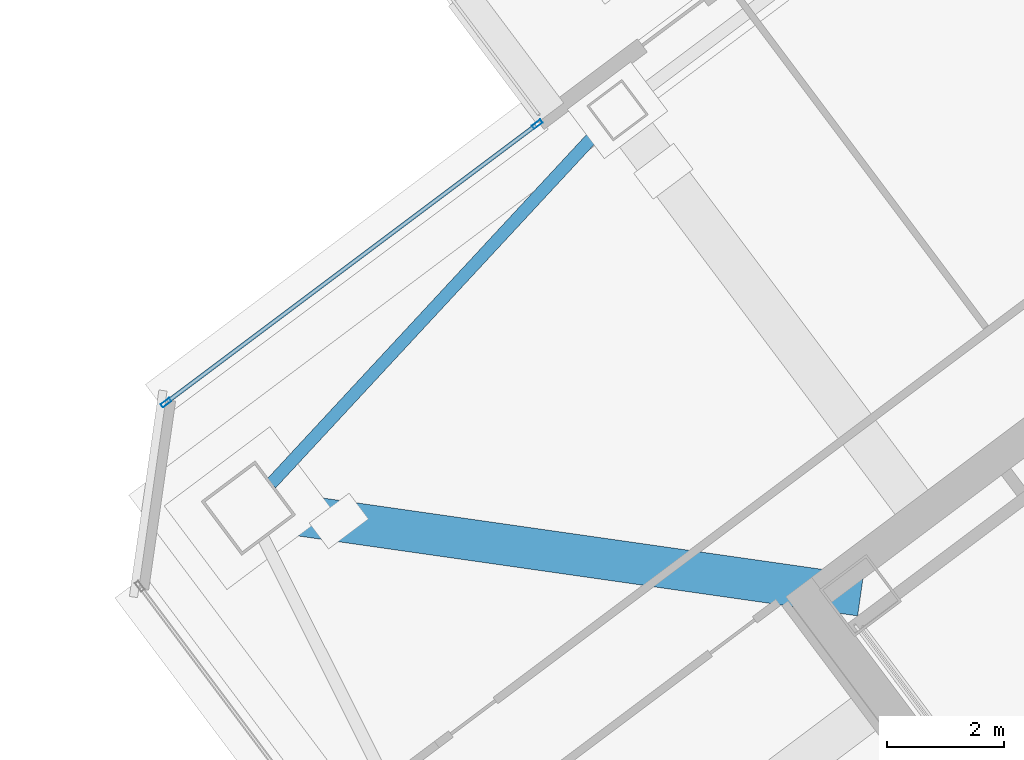
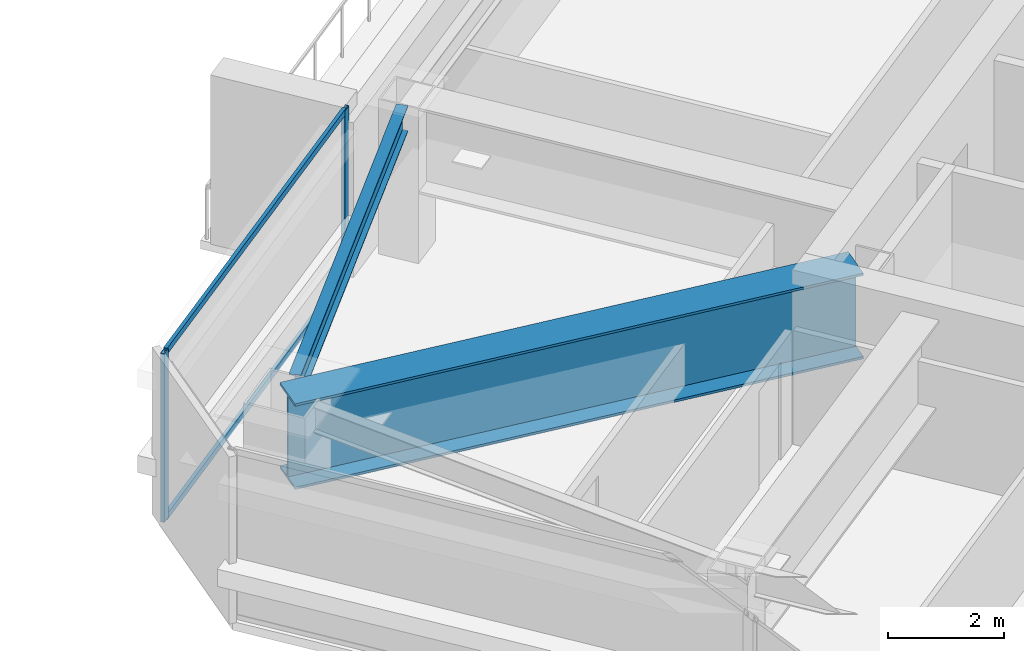
# One storey, part 22 of 42: 4 members, 2 beams, 1 element without a shape of its own.
"""IFC4 building model written with IfcOpenShell, lengths in metres."""

import ifcopenshell
import ifcopenshell.guid

model = None  # the IFC model being written
_history = None  # IfcOwnerHistory: only IFC2X3 demands one
_inside = {}  # id of a spatial element -> (the spatial element, [elements in it])
_under = {}  # id of a project, library or spatial element -> (it, [spatial elements below it])
_declared = {}  # id of a project -> (the project, [libraries it declares])
_typed = {}  # id of a type object -> (the type object, [elements of that type])
_made_of = {}  # id of a material, layer set ... -> (it, [elements and type objects made of it])


def new_model(schema):
    """Start an empty IFC model of exactly this schema.

    Asked for "IFC4X3", IfcOpenShell would pick the latest addendum, in which some entities
    have other attributes; the version numbers below select the first issue.
    IFC2X3 requires an IfcOwnerHistory on every rooted entity: one is made here for all.
    """
    global model, _history
    if schema == "IFC4X3":
        model = ifcopenshell.file(schema_version=(4, 3, 0, 0))
    else:
        model = ifcopenshell.file(schema=schema)
    _inside.clear()
    _under.clear()
    _declared.clear()
    _typed.clear()
    _made_of.clear()
    _history = None
    if model.schema == "IFC2X3":
        org = make("IfcOrganization", Name="unknown")
        user = make(
            "IfcPersonAndOrganization",
            ThePerson=make("IfcPerson", FamilyName="unknown"),
            TheOrganization=org,
        )
        app = make(
            "IfcApplication",
            ApplicationDeveloper=org,
            Version="unknown",
            ApplicationFullName="unknown",
            ApplicationIdentifier="unknown",
        )
        _history = make(
            "IfcOwnerHistory",
            OwningUser=user,
            OwningApplication=app,
            ChangeAction="ADDED",
            CreationDate=0,
        )
    return model


def make(cls, **values):
    """One entity of the class cls with the attributes given. An attribute that is None is left unset."""
    return model.create_entity(
        cls, **{name: value for name, value in values.items() if value is not None}
    )


def rooted(cls, **values):
    """An entity with a GlobalId (a new one), such as an element, a storey or a relation."""
    return make(cls, GlobalId=ifcopenshell.guid.new(), OwnerHistory=_history, **values)


def si_unit(unit_type, name, prefix=None):
    """IfcSIUnit, for example si_unit("LENGTHUNIT", "METRE", prefix="MILLI")."""
    return make("IfcSIUnit", UnitType=unit_type, Prefix=prefix, Name=name)


def assignment(units):
    """IfcUnitAssignment: the units of a project."""
    return None if units is None else make("IfcUnitAssignment", Units=units)


def point(xyz):
    """IfcCartesianPoint."""
    return None if xyz is None else make("IfcCartesianPoint", Coordinates=xyz)


def direction(xyz):
    """IfcDirection."""
    return None if xyz is None else make("IfcDirection", DirectionRatios=xyz)


def frame(location, z_axis=None, x_axis=None):
    """IfcAxis2Placement3D, a coordinate frame: its origin and axes. An axis left out is left unset."""
    return make(
        "IfcAxis2Placement3D",
        Location=point(location),
        Axis=direction(z_axis),
        RefDirection=direction(x_axis),
    )


def frame_2d(location, x_axis=None):
    """IfcAxis2Placement2D, a coordinate frame in the plane: its origin and x axis."""
    return make(
        "IfcAxis2Placement2D", Location=point(location), RefDirection=direction(x_axis)
    )


def origin():
    """The frame at (0, 0, 0) with its axes left unset."""
    return frame((0.0, 0.0, 0.0))


def origin_2d():
    """The frame at (0, 0) in the plane with its x axis left unset."""
    return frame_2d((0.0, 0.0))


def place(relative_to, where):
    """IfcLocalPlacement: puts the frame where relative to a parent placement (None: the world)."""
    return make(
        "IfcLocalPlacement", PlacementRelTo=relative_to, RelativePlacement=where
    )


def context(
    kind, dimensions, precision=None, world=None, true_north=None, identifier=None
):
    """IfcGeometricRepresentationContext, for example the 3D "Model" context."""
    return make(
        "IfcGeometricRepresentationContext",
        ContextIdentifier=identifier,
        ContextType=kind,
        CoordinateSpaceDimension=dimensions,
        Precision=precision,
        WorldCoordinateSystem=world,
        TrueNorth=true_north,
    )


def subcontext(parent, identifier, kind, view, scale=None):
    """IfcGeometricRepresentationSubContext, for example "Body" below "Model"."""
    return make(
        "IfcGeometricRepresentationSubContext",
        ContextIdentifier=identifier,
        ContextType=kind,
        ParentContext=parent,
        TargetScale=scale,
        TargetView=view,
    )


def project(units=None, contexts=None):
    """IfcProject with its units and contexts."""
    return rooted(
        "IfcProject",
        Name="project",
        RepresentationContexts=contexts,
        UnitsInContext=assignment(units),
    )


def spatial(cls, under=None, at=None, **own):
    """A site, building, storey or space (cls), placed at a placement, below another one or the project."""
    s = rooted(cls, ObjectPlacement=at, **own)
    if under is not None:
        _under.setdefault(under.id(), (under, []))[1].append(s)
    return s


def profile(cls, at=None, kind="AREA", **sizes):
    """A parametric profile (cls). Its sizes go by their IFC names, for example OverallWidth=200.0."""
    return make(cls, ProfileType=kind, Position=at, **sizes)


def hollow_rectangle(**sizes):
    """IfcRectangleHollowProfileDef."""
    return profile("IfcRectangleHollowProfileDef", **sizes)


def i_section(**sizes):
    """IfcIShapeProfileDef."""
    return profile("IfcIShapeProfileDef", **sizes)


def extrude(swept, where, along, depth):
    """IfcExtrudedAreaSolid: the profile swept, set in the frame where, extruded along a direction by depth."""
    return make(
        "IfcExtrudedAreaSolid",
        SweptArea=swept,
        Position=where,
        ExtrudedDirection=direction(along),
        Depth=depth,
    )


def shape(context_of_items, identifier, shape_type, items):
    """IfcShapeRepresentation: the items that make up one representation, for example the "Body"."""
    return make(
        "IfcShapeRepresentation",
        ContextOfItems=context_of_items,
        RepresentationIdentifier=identifier,
        RepresentationType=shape_type,
        Items=items,
    )


def material(Name=None, Category=None):
    """IfcMaterial."""
    return make("IfcMaterial", Name=Name, Category=Category)


def material_profile(
    of_material, cross_section, Name=None, Category=None, Priority=None
):
    """IfcMaterialProfile: a cross section and its material."""
    return make(
        "IfcMaterialProfile",
        Name=Name,
        Material=of_material,
        Profile=cross_section,
        Priority=Priority,
        Category=Category,
    )


def profile_set(profiles, Name=None, composite=None):
    """IfcMaterialProfileSet."""
    return make(
        "IfcMaterialProfileSet",
        Name=Name,
        MaterialProfiles=profiles,
        CompositeProfile=composite,
    )


def made_of(thing, what):
    """Note that an element or type object is made of a material, layer set ...; save() writes the relation."""
    if what is not None:
        _made_of.setdefault(what.id(), (what, []))[1].append(thing)
    return thing


def type_object(cls, material=None, **own):
    """A type object (cls), such as IfcWallType, which elements share."""
    return made_of(rooted(cls, **own), material)


def element(
    cls,
    number,
    at=None,
    inside=None,
    cuts=None,
    type_object=None,
    material=None,
    context=None,
    identifier="Body",
    shape_type=None,
    held_by="IfcProductDefinitionShape",
    body=None,
    shapes=None,
    **own,
):
    """One element of the class cls, such as IfcWall. Its Tag is "e" and its number.

    at: its placement. inside: the storey or other place that contains it. cuts: it is an
    opening in that element (IfcRelVoidsElement). A single representation is given by context,
    identifier, shape_type and body (its items); several are given by shapes. held_by: the class
    of the entity that holds the representations. save() writes the other relations.
    """
    e = rooted(cls, Tag="e%d" % number, ObjectPlacement=at, **own)
    if body is not None:
        shapes = [shape(context, identifier, shape_type, body)]
    if shapes is not None:
        e.Representation = make(held_by, Representations=shapes)
    if inside is not None:
        _inside.setdefault(inside.id(), (inside, []))[1].append(e)
    if cuts is not None:
        rooted(
            "IfcRelVoidsElement", RelatingBuildingElement=cuts, RelatedOpeningElement=e
        )
    if type_object is not None:
        _typed.setdefault(type_object.id(), (type_object, []))[1].append(e)
    return made_of(e, material)


def aggregate(whole, parts):
    """IfcRelAggregates: a whole, such as a stair, and the parts it consists of."""
    return rooted("IfcRelAggregates", RelatingObject=whole, RelatedObjects=parts)


def save(model, path):
    """Write the relations noted so far, then the file.

    IfcRelAggregates (storeys below a building ...), IfcRelContainedInSpatialStructure (elements
    in a storey), IfcRelDefinesByType, IfcRelAssociatesMaterial and IfcRelDeclares: one each for
    every whole, place, type object, material and project.
    """
    for whole, parts in _under.values():
        aggregate(whole, parts)
    for where, things in _inside.values():
        rooted(
            "IfcRelContainedInSpatialStructure",
            RelatedElements=things,
            RelatingStructure=where,
        )
    for kind, things in _typed.values():
        rooted("IfcRelDefinesByType", RelatedObjects=things, RelatingType=kind)
    for what, things in _made_of.values():
        rooted("IfcRelAssociatesMaterial", RelatedObjects=things, RelatingMaterial=what)
    for by, libraries in _declared.values():
        rooted("IfcRelDeclares", RelatingContext=by, RelatedDefinitions=libraries)
    model.write(path)


model = new_model("IFC4")

# Units and contexts
model_context = context("Model", 3, precision=1e-05, world=origin(), true_north=direction((0.0, 1.0)))
body_context = subcontext(model_context, "Body", "Model", "MODEL_VIEW")
ifc_project = project(units=[si_unit("LENGTHUNIT", "METRE"), si_unit("AREAUNIT", "SQUARE_METRE"), si_unit("VOLUMEUNIT", "CUBIC_METRE"), si_unit("PLANEANGLEUNIT", "RADIAN"), si_unit("MASSUNIT", "GRAM", prefix="KILO")], contexts=[model_context])

# Site, building, storey
site_placement = place(None, origin())
site = spatial("IfcSite", under=ifc_project, at=site_placement, CompositionType="ELEMENT")
building_placement = place(site_placement, origin())
building = spatial("IfcBuilding", under=site, at=building_placement, Name="Tashvorn Skyway Center", CompositionType="ELEMENT")
storey_placement = place(building_placement, frame((0.0, 0.0, 196.050048828125)))
storey = spatial("IfcBuildingStorey", under=building, at=storey_placement, Name="L53", CompositionType="ELEMENT", Elevation=196.050048828125)

# Beams
ifc_material_1 = material(Name="Steel ASTM A572 Grade 50", Category="steel")
ifc_material_profile_1 = material_profile(ifc_material_1, i_section(OverallWidth=0.699951171875, OverallDepth=1.800048828125, WebThickness=0.031982421875, FlangeThickness=0.050048828125, at=origin_2d()), Name="PG1800x700")
ifc_profile_set_1 = profile_set([ifc_material_profile_1], Name="Steel ASTM A572 Grade 50")
beam_type_1 = type_object("IfcBeamType", Name="BM-BEAM-PG1800x700", PredefinedType="BEAM", material=ifc_profile_set_1)
beam_1_placement = place(storey_placement, frame((93.699951171875, 34.89990234375, 2.349853515625), z_axis=(0.989949493661, -0.141421356237, 0.0), x_axis=(0.141421356237, 0.989949493661, 0.0)))
element("IfcBeam", 1, at=beam_1_placement, inside=storey, type_object=beam_type_1, Name="Tower 2 L53 Setback Transfer Girder MC-NW", PredefinedType="BEAM", context=body_context, shape_type="SweptSolid", body=[
    extrude(i_section(OverallWidth=0.699951171875, OverallDepth=1.800048828125, WebThickness=0.031982421875, FlangeThickness=0.050048828125, at=origin_2d()), origin(), (0.0, 0.0, 1.0), 10.535888671875),
])
ifc_material_2 = material(Name="Steel ASTM A992 Grade 50", Category="steel")
ifc_material_profile_2 = material_profile(ifc_material_2, i_section(OverallWidth=0.2109375, OverallDepth=0.5390625, WebThickness=0.01171875, FlangeThickness=0.018798828125, at=origin_2d()), Name="W21X73")
ifc_profile_set_2 = profile_set([ifc_material_profile_2], Name="Steel ASTM A992 Grade 50")
beam_type_2 = type_object("IfcBeamType", Name="BM-SPANDREL-W21X73", PredefinedType="SPANDREL", material=ifc_profile_set_2)
beam_2_placement = place(storey_placement, frame((99.73828125, 41.40869140625, 2.98046875), z_axis=(-0.680119661736, -0.733101115618, 0.0), x_axis=(0.733101115618, -0.680119661736, 0.0)))
element("IfcBeam", 2, at=beam_2_placement, inside=storey, type_object=beam_type_2, Name="Tower 2 L53 Spandrel Beam 09", PredefinedType="SPANDREL", context=body_context, shape_type="SweptSolid", body=[
    extrude(i_section(OverallWidth=0.2109375, OverallDepth=0.5390625, WebThickness=0.01171875, FlangeThickness=0.018798828125, at=origin_2d()), origin(), (0.0, 0.0, 1.0), 8.308349609375),
])

# Curtain wall, members
ifc_material_3 = material(Name="Thermally broken bronze-anodized aluminium 6063-T6", Category="aluminium")
curtain_wall_type = type_object("IfcCurtainWallType", Name="CW-CW-Z4", PredefinedType="NOTDEFINED", material=ifc_material_3)
curtain_wall_placement = place(storey_placement, origin())
curtain_wall = element("IfcCurtainWall", 3, at=curtain_wall_placement, inside=storey, type_object=curtain_wall_type, Name="Tower 2 L53 North Curtain Wall L", PredefinedType="NOTDEFINED")
ifc_material_profile_3 = material_profile(ifc_material_3, hollow_rectangle(XDim=0.070068359375, YDim=0.179931640625, WallThickness=0.00390625, at=origin_2d()), Name="ALU-MULL-70x180")
ifc_profile_set_3 = profile_set([ifc_material_profile_3], Name="Thermally broken bronze-anodized aluminium 6063-T6")
member_type_1 = type_object("IfcMemberType", Name="CWM-CW-Z4", PredefinedType="MULLION", material=ifc_profile_set_3)
member_1_placement = place(storey_placement, frame((92.2958984375, 36.697021484375, 0.0), z_axis=(0.0, 0.0, 1.0), x_axis=(-0.600000000002, 0.799999999998, 0.0)))
member_1 = element("IfcMember", 4, at=member_1_placement, type_object=member_type_1, Name="CW-Z4 mullion 1", PredefinedType="MULLION", context=body_context, shape_type="SweptSolid", body=[
    extrude(hollow_rectangle(XDim=0.070068359375, YDim=0.179931640625, WallThickness=0.00390625, at=origin_2d()), origin(), (0.0, 0.0, 1.0), 3.550048828125),
])
member_2_placement = place(storey_placement, frame((98.6240234375, 41.443115234375, 0.0), z_axis=(0.0, 0.0, 1.0), x_axis=(-0.600000000002, 0.799999999998, 0.0)))
member_2 = element("IfcMember", 5, at=member_2_placement, type_object=member_type_1, Name="CW-Z4 mullion 2", PredefinedType="MULLION", context=body_context, shape_type="SweptSolid", body=[
    extrude(hollow_rectangle(XDim=0.070068359375, YDim=0.179931640625, WallThickness=0.00390625, at=origin_2d()), origin(), (0.0, 0.0, 1.0), 3.550048828125),
])
ifc_material_profile_4 = material_profile(ifc_material_3, hollow_rectangle(XDim=0.070068359375, YDim=0.1298828125, WallThickness=0.00390625, at=origin_2d()), Name="ALU-TRAN-70x130")
ifc_profile_set_4 = profile_set([ifc_material_profile_4], Name="Thermally broken bronze-anodized aluminium 6063-T6")
member_type_2 = type_object("IfcMemberType", Name="CWT-CW-Z4", PredefinedType="USERDEFINED", material=ifc_profile_set_4)
member_3_placement = place(storey_placement, frame((92.323974609375, 36.718017578125, 0.034912109375), z_axis=(0.799992526283, 0.600009964827, 0.0), x_axis=(-0.600009964827, 0.799992526283, 0.0)))
member_3 = element("IfcMember", 6, at=member_3_placement, type_object=member_type_2, Name="CW-Z4 transom 1.1", ObjectType="TRANSOM", PredefinedType="USERDEFINED", context=body_context, shape_type="SweptSolid", body=[
    extrude(hollow_rectangle(XDim=0.070068359375, YDim=0.1298828125, WallThickness=0.00390625, at=origin_2d()), origin(), (0.0, 0.0, 1.0), 7.840087890625),
])
member_4_placement = place(storey_placement, frame((92.323974609375, 36.718017578125, 3.514892578125), z_axis=(0.799992526283, 0.600009964827, 0.0), x_axis=(-0.600009964827, 0.799992526283, 0.0)))
member_4 = element("IfcMember", 7, at=member_4_placement, type_object=member_type_2, Name="CW-Z4 transom 1.2", ObjectType="TRANSOM", PredefinedType="USERDEFINED", context=body_context, shape_type="SweptSolid", body=[
    extrude(hollow_rectangle(XDim=0.070068359375, YDim=0.1298828125, WallThickness=0.00390625, at=origin_2d()), origin(), (0.0, 0.0, 1.0), 7.840087890625),
])
aggregate(curtain_wall, [member_1, member_2, member_3, member_4])

save(model, "model.ifc")
